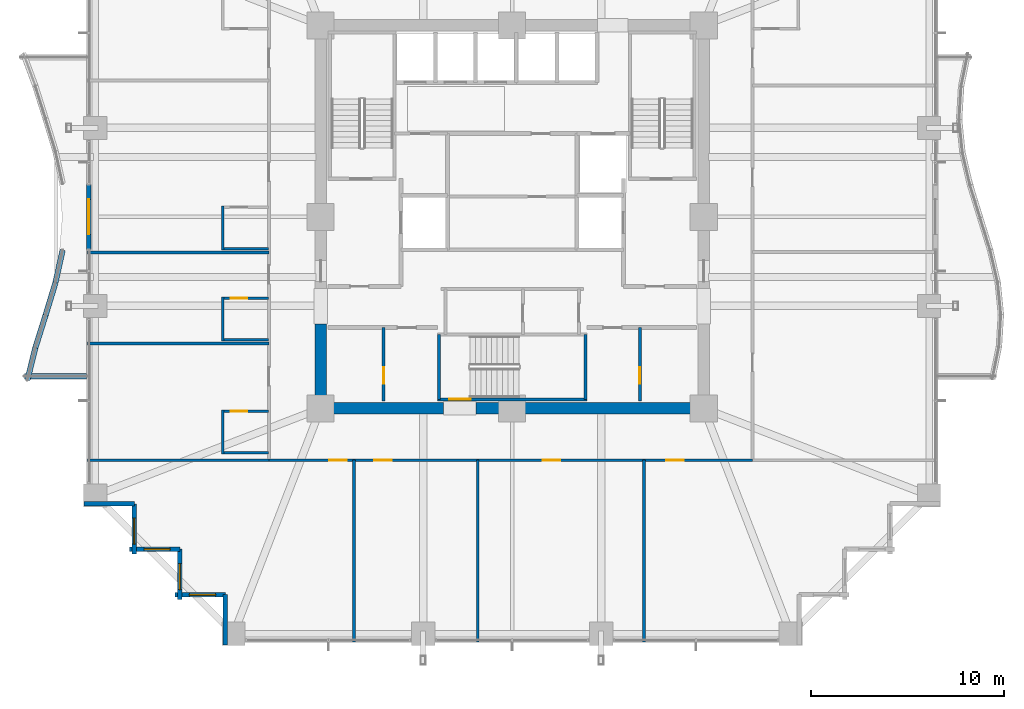
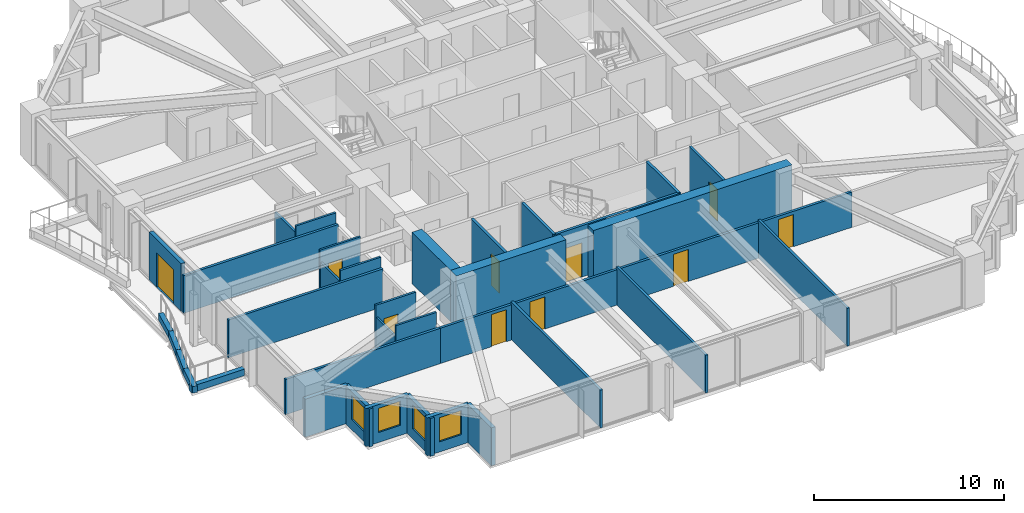
# One storey, part 30 of 36: 35 walls, 10 doors, 4 windows, 14 openings.
"""IFC4 building model written with IfcOpenShell, lengths in metres."""

from ifc_helpers import new_model, si_unit, direction, frame, frame_2d, origin, place, context, subcontext, project, spatial, rectangle, extrude, material, layer, layer_set, type_object, element, fill, save


model = new_model("IFC4")

# Units and contexts
model_context = context("Model", 3, precision=1e-05, world=origin(), true_north=direction((0.0, 1.0)))
body_context = subcontext(model_context, "Body", "Model", "MODEL_VIEW")
ifc_project = project(units=[si_unit("LENGTHUNIT", "METRE"), si_unit("AREAUNIT", "SQUARE_METRE"), si_unit("VOLUMEUNIT", "CUBIC_METRE"), si_unit("PLANEANGLEUNIT", "RADIAN"), si_unit("MASSUNIT", "GRAM", prefix="KILO")], contexts=[model_context])

# Site, building, storey
site_placement = place(None, origin())
site = spatial("IfcSite", under=ifc_project, at=site_placement, CompositionType="ELEMENT")
building_placement = place(site_placement, origin())
building = spatial("IfcBuilding", under=site, at=building_placement, Name="Kolvaren Belvedere", CompositionType="ELEMENT")
storey_placement = place(building_placement, frame((0.0, 0.0, 46.89990234375)))
storey = spatial("IfcBuildingStorey", under=building, at=storey_placement, Name="L13", CompositionType="ELEMENT", Elevation=46.89990234375)

# Walls
ifc_material_1 = material(Name="Concrete C60/75", Category="concrete")
ifc_layer_1 = layer(ifc_material_1, 0.60009765625)
ifc_layer_set_1 = layer_set([ifc_layer_1], Name="Concrete C60/75")
wall_type_1 = type_object("IfcWallType", Name="CW-CORE-600", PredefinedType="SHEAR", material=ifc_layer_set_1)
wall_1_placement = place(storey_placement, frame((10.199951171875, -9.89990234375, 0.0), z_axis=(0.0, 0.0, 1.0), x_axis=(-1.0, 0.0, 0.0)))
element("IfcWall", 1, at=wall_1_placement, inside=storey, type_object=wall_type_1, Name="L13 South Core Shear Wall 1", PredefinedType="SHEAR", context=body_context, shape_type="SweptSolid", body=[
    extrude(rectangle(XDim=12.06005859375, YDim=0.60009765625, at=frame_2d((6.030029296875, 0.0))), origin(), (0.0, 0.0, 1.0), 3.300048828125),
])
wall_2_placement = place(storey_placement, frame((-3.5400390625, -9.89990234375, 0.0), z_axis=(0.0, 0.0, 1.0), x_axis=(-1.0, 0.0, 0.0)))
element("IfcWall", 2, at=wall_2_placement, inside=storey, type_object=wall_type_1, Name="L13 South Core Shear Wall 2", PredefinedType="SHEAR", context=body_context, shape_type="SweptSolid", body=[
    extrude(rectangle(XDim=6.659912109375, YDim=0.60009765625, at=frame_2d((3.330078125, 0.0))), origin(), (0.0, 0.0, 1.0), 3.300048828125),
])
wall_3_placement = place(storey_placement, frame((-9.89990234375, -9.60009765625, 0.0), z_axis=(0.0, 0.0, 1.0), x_axis=(0.0, 1.0, 0.0)))
element("IfcWall", 3, at=wall_3_placement, inside=storey, type_object=wall_type_1, Name="L13 West Core Shear Wall 1", PredefinedType="SHEAR", context=body_context, shape_type="SweptSolid", body=[
    extrude(rectangle(XDim=4.050048828125, YDim=0.60009765625, at=frame_2d((2.02490234375, 0.0))), origin(), (0.0, 0.0, 1.0), 3.300048828125),
])

# Wall, opening, door
ifc_material_2 = material(Name="Concrete C50/60", Category="concrete")
ifc_layer_2 = layer(ifc_material_2, 0.159912109375)
ifc_layer_set_2 = layer_set([ifc_layer_2], Name="Concrete C50/60")
wall_type_2 = type_object("IfcWallType", Name="CW-STAIR-160", PredefinedType="SHEAR", material=ifc_layer_set_2)
wall_4_placement = place(storey_placement, frame((3.860107421875, -9.429931640625, 0.0), z_axis=(0.0, 0.0, 1.0), x_axis=(-1.0, 0.0, 0.0)))
wall_4 = element("IfcWall", 4, at=wall_4_placement, inside=storey, type_object=wall_type_2, Name="L13 Stair ST-3 South Shear Wall", PredefinedType="SHEAR", context=body_context, shape_type="SweptSolid", body=[
    extrude(rectangle(XDim=7.72021484375, YDim=0.159912109375, at=frame_2d((3.860107421875, 0.0))), origin(), (0.0, 0.0, 1.0), 3.300048828125),
])
opening_1_placement = place(wall_4_placement, frame((6.010009765625, 0.0, 0.0)))
opening_1 = element("IfcOpeningElement", 5, at=opening_1_placement, cuts=wall_4, Name="Opening D-FD90", PredefinedType="OPENING", context=body_context, shape_type="SweptSolid", body=[
    extrude(rectangle(XDim=1.10009765625, YDim=2.199951171875, at=frame_2d((0.550048828125, 1.10009765625))), frame((0.0, 0.08984375, 0.0), z_axis=(0.0, -1.0, 0.0), x_axis=(1.0, 0.0, 0.0)), (0.0, 0.0, 1.0), 0.179931640625),
])
ifc_material_3 = material(Name="Painted hollow stainless steel", Category="steel")
door_type_1 = type_object("IfcDoorType", Name="DR-FD90-1100", OperationType="NOTDEFINED", PredefinedType="DOOR", material=ifc_material_3)
door_1_placement = place(opening_1_placement, origin())
door_1 = element("IfcDoor", 6, at=door_1_placement, inside=storey, type_object=door_type_1, Name="L13 Stair ST-3 Exit Door", OperationType="SINGLE_SWING_RIGHT", OverallHeight=2.199951171875, OverallWidth=1.10009765625, PredefinedType="DOOR", context=body_context, shape_type="SweptSolid", body=[
    extrude(rectangle(XDim=1.10009765625, YDim=2.199951171875, at=frame_2d((0.550048828125, 1.10009765625))), frame((0.0, 0.02490234375, 0.0), z_axis=(0.0, -1.0, 0.0), x_axis=(1.0, 0.0, 0.0)), (0.0, 0.0, 1.0), 0.050048828125),
])
fill(opening_1, door_1)

# Walls
for number, where, z_axis, x_axis, name in (
    (7, (-3.780029296875, -9.429931640625, 0.0), (0.0, 0.0, 1.0), (0.0, 1.0, 0.0), "L13 Stair ST-3 West Shear Wall"),
    (8, (3.780029296875, -9.429931640625, 0.0), (0.0, 0.0, 1.0), (0.0, 1.0, 0.0), "L13 Stair ST-3 East Shear Wall"),
):
    element("IfcWall", number, at=place(storey_placement, frame(where, z_axis=z_axis, x_axis=x_axis)), inside=storey, type_object=wall_type_2, Name=name, PredefinedType="SHEAR", context=body_context, shape_type="SweptSolid", body=[
        extrude(rectangle(XDim=3.349853515625, YDim=0.159912109375, at=frame_2d((1.6748046875, 0.0))), origin(), (0.0, 0.0, 1.0), 3.300048828125),
    ])

# Wall, openings, doors
ifc_material_4 = material(Name="Gypsum fire-rated partition assembly", Category="gypsum")
ifc_layer_3 = layer(ifc_material_4, 0.14990234375)
ifc_layer_set_3 = layer_set([ifc_layer_3], Name="Gypsum fire-rated partition assembly")
wall_type_3 = type_object("IfcWallType", Name="WL-CORR-150", PredefinedType="PARTITIONING", material=ifc_layer_set_3)
wall_5_placement = place(storey_placement, frame((-12.580078125, -12.580078125, 0.0), z_axis=(0.0, 0.0, 1.0), x_axis=(1.0, 0.0, 0.0)))
wall_5 = element("IfcWall", 9, at=wall_5_placement, inside=storey, type_object=wall_type_3, Name="L13 South Corridor Wall", PredefinedType="PARTITIONING", context=body_context, shape_type="SweptSolid", body=[
    extrude(rectangle(XDim=25.0, YDim=0.14990234375, at=frame_2d((12.5, 0.0))), origin(), (0.0, 0.0, 1.0), 2.272216796875),
])
opening_2_placement = place(wall_5_placement, frame((3.118408203125, 0.0, 0.0)))
opening_2 = element("IfcOpeningElement", 10, at=opening_2_placement, cuts=wall_5, Name="Opening D-INT90", PredefinedType="OPENING", context=body_context, shape_type="SweptSolid", body=[
    extrude(rectangle(XDim=0.89990234375, YDim=2.06005859375, at=frame_2d((0.449951171875, 1.030029296875))), frame((0.0, 0.0849609375, 0.0), z_axis=(0.0, -1.0, 0.0), x_axis=(1.0, 0.0, 0.0)), (0.0, 0.0, 1.0), 0.169921875),
])
opening_3_placement = place(wall_5_placement, frame((5.45361328125, 0.0, 0.0)))
opening_3 = element("IfcOpeningElement", 11, at=opening_3_placement, cuts=wall_5, Name="Opening D-INT90", PredefinedType="OPENING", context=body_context, shape_type="SweptSolid", body=[
    extrude(rectangle(XDim=0.89990234375, YDim=2.06005859375, at=frame_2d((0.449951171875, 1.030029296875))), frame((0.0, 0.0849609375, 0.0), z_axis=(0.0, -1.0, 0.0), x_axis=(1.0, 0.0, 0.0)), (0.0, 0.0, 1.0), 0.169921875),
])
opening_4_placement = place(wall_5_placement, frame((14.159912109375, 0.0, 0.0)))
opening_4 = element("IfcOpeningElement", 12, at=opening_4_placement, cuts=wall_5, Name="Opening D-INT90", PredefinedType="OPENING", context=body_context, shape_type="SweptSolid", body=[
    extrude(rectangle(XDim=0.89990234375, YDim=2.06005859375, at=frame_2d((0.449951171875, 1.030029296875))), frame((0.0, 0.0849609375, 0.0), z_axis=(0.0, -1.0, 0.0), x_axis=(1.0, 0.0, 0.0)), (0.0, 0.0, 1.0), 0.169921875),
])
opening_5_placement = place(wall_5_placement, frame((20.54052734375, 0.0, 0.0)))
opening_5 = element("IfcOpeningElement", 13, at=opening_5_placement, cuts=wall_5, Name="Opening D-INT90", PredefinedType="OPENING", context=body_context, shape_type="SweptSolid", body=[
    extrude(rectangle(XDim=0.89990234375, YDim=2.06005859375, at=frame_2d((0.449951171875, 1.030029296875))), frame((0.0, 0.0849609375, 0.0), z_axis=(0.0, -1.0, 0.0), x_axis=(1.0, 0.0, 0.0)), (0.0, 0.0, 1.0), 0.169921875),
])
ifc_material_5 = material(Name="Stained Pacific white oak", Category="timber")
door_type_2 = type_object("IfcDoorType", Name="DR-INT-900", OperationType="NOTDEFINED", PredefinedType="DOOR", material=ifc_material_5)
door_2_placement = place(opening_2_placement, origin())
door_2 = element("IfcDoor", 14, at=door_2_placement, inside=storey, type_object=door_type_2, Name="L13 Lounge 1301 Door", OperationType="SINGLE_SWING_LEFT", OverallHeight=2.06005859375, OverallWidth=0.89990234375, PredefinedType="DOOR", context=body_context, shape_type="SweptSolid", body=[
    extrude(rectangle(XDim=0.89990234375, YDim=2.06005859375, at=frame_2d((0.449951171875, 1.030029296875))), frame((0.0, 0.02490234375, 0.0), z_axis=(0.0, -1.0, 0.0), x_axis=(1.0, 0.0, 0.0)), (0.0, 0.0, 1.0), 0.050048828125),
])
fill(opening_2, door_2)
door_3_placement = place(opening_3_placement, origin())
door_3 = element("IfcDoor", 15, at=door_3_placement, inside=storey, type_object=door_type_2, Name="L13 Guest Tea & Espresso Kitchen 1302 Door", OperationType="SINGLE_SWING_RIGHT", OverallHeight=2.06005859375, OverallWidth=0.89990234375, PredefinedType="DOOR", context=body_context, shape_type="SweptSolid", body=[
    extrude(rectangle(XDim=0.89990234375, YDim=2.06005859375, at=frame_2d((0.449951171875, 1.030029296875))), frame((0.0, 0.02490234375, 0.0), z_axis=(0.0, -1.0, 0.0), x_axis=(1.0, 0.0, 0.0)), (0.0, 0.0, 1.0), 0.050048828125),
])
fill(opening_3, door_3)
door_4_placement = place(opening_4_placement, origin())
door_4 = element("IfcDoor", 16, at=door_4_placement, inside=storey, type_object=door_type_2, Name="L13 Private Hospitality Meeting Room 1303 Door", OperationType="SINGLE_SWING_LEFT", OverallHeight=2.06005859375, OverallWidth=0.89990234375, PredefinedType="DOOR", context=body_context, shape_type="SweptSolid", body=[
    extrude(rectangle(XDim=0.89990234375, YDim=2.06005859375, at=frame_2d((0.449951171875, 1.030029296875))), frame((0.0, 0.02490234375, 0.0), z_axis=(0.0, -1.0, 0.0), x_axis=(1.0, 0.0, 0.0)), (0.0, 0.0, 1.0), 0.050048828125),
])
fill(opening_4, door_4)
door_5_placement = place(opening_5_placement, origin())
door_5 = element("IfcDoor", 17, at=door_5_placement, inside=storey, type_object=door_type_2, Name="L13 Lounge 1304 Door", OperationType="SINGLE_SWING_RIGHT", OverallHeight=2.06005859375, OverallWidth=0.89990234375, PredefinedType="DOOR", context=body_context, shape_type="SweptSolid", body=[
    extrude(rectangle(XDim=0.89990234375, YDim=2.06005859375, at=frame_2d((0.449951171875, 1.030029296875))), frame((0.0, 0.02490234375, 0.0), z_axis=(0.0, -1.0, 0.0), x_axis=(1.0, 0.0, 0.0)), (0.0, 0.0, 1.0), 0.050048828125),
])
fill(opening_5, door_5)

# Wall, opening, door
ifc_material_6 = material(Name="Insulated pale-metal facade wall assembly", Category="aluminium")
ifc_layer_4 = layer(ifc_material_6, 0.239990234375)
ifc_layer_set_4 = layer_set([ifc_layer_4], Name="Insulated pale-metal facade wall assembly")
wall_type_4 = type_object("IfcWallType", Name="WL-EXT-240", PredefinedType="STANDARD", material=ifc_layer_set_4)
wall_6_placement = place(storey_placement, frame((-21.8798828125, -1.679931640625, 0.0), z_axis=(0.0, 0.0, 1.0), x_axis=(0.0, 1.0, 0.0)))
wall_6 = element("IfcWall", 18, at=wall_6_placement, inside=storey, type_object=wall_type_4, Name="L13 West Terrace Portal Wall", PredefinedType="STANDARD", context=body_context, shape_type="SweptSolid", body=[
    extrude(rectangle(XDim=3.35986328125, YDim=0.239990234375, at=frame_2d((1.679931640625, 0.0))), origin(), (0.0, 0.0, 1.0), 3.06005859375),
])
opening_6_placement = place(wall_6_placement, frame((0.780029296875, 0.0, 0.0)))
opening_6 = element("IfcOpeningElement", 19, at=opening_6_placement, cuts=wall_6, Name="Opening DB-1800", PredefinedType="OPENING", context=body_context, shape_type="SweptSolid", body=[
    extrude(rectangle(XDim=1.800048828125, YDim=2.199951171875, at=frame_2d((0.89990234375, 1.10009765625))), frame((0.0, 0.1298828125, 0.0), z_axis=(0.0, -1.0, 0.0), x_axis=(1.0, 0.0, 0.0)), (0.0, 0.0, 1.0), 0.260009765625),
])
ifc_material_7 = material(Name="Thermally broken pale-metal aluminium & low-iron glass", Category="aluminium")
door_type_3 = type_object("IfcDoorType", Name="DR-BAL-1800", OperationType="DOUBLE_DOOR_SLIDING", PredefinedType="DOOR", material=ifc_material_7)
door_6_placement = place(opening_6_placement, origin())
door_6 = element("IfcDoor", 20, at=door_6_placement, inside=storey, type_object=door_type_3, Name="L13 West Planted Terrace Sliding Door", OperationType="DOUBLE_DOOR_SLIDING", OverallHeight=2.199951171875, OverallWidth=1.800048828125, PredefinedType="DOOR", context=body_context, shape_type="SweptSolid", body=[
    extrude(rectangle(XDim=1.800048828125, YDim=2.199951171875, at=frame_2d((0.89990234375, 1.10009765625))), frame((0.0, 0.02490234375, 0.0), z_axis=(0.0, -1.0, 0.0), x_axis=(1.0, 0.0, 0.0)), (0.0, 0.0, 1.0), 0.050048828125),
])
fill(opening_6, door_6)

# Wall
wall_7_placement = place(storey_placement, frame((-19.530029296875, -14.830078125, 0.0), z_axis=(0.0, 0.0, 1.0), x_axis=(-1.0, 0.0, 0.0)))
element("IfcWall", 21, at=wall_7_placement, inside=storey, type_object=wall_type_4, Name="L13 Serrated Corner Facade Wall 23", PredefinedType="STANDARD", context=body_context, shape_type="SweptSolid", body=[
    extrude(rectangle(XDim=2.590087890625, YDim=0.239990234375, at=frame_2d((1.294921875, 0.0))), origin(), (0.0, 0.0, 1.0), 2.439208984375),
])

# Wall, opening, window
wall_8_placement = place(storey_placement, frame((-19.530029296875, -17.419921875, 0.0), z_axis=(0.0, 0.0, 1.0), x_axis=(0.0, 1.0, 0.0)))
wall_8 = element("IfcWall", 22, at=wall_8_placement, inside=storey, type_object=wall_type_4, Name="L13 Serrated Corner Facade Wall 24", PredefinedType="STANDARD", context=body_context, shape_type="SweptSolid", body=[
    extrude(rectangle(XDim=2.58984375, YDim=0.239990234375, at=frame_2d((1.294921875, 0.0))), origin(), (0.0, 0.0, 1.0), 2.439208984375),
])
opening_7_placement = place(wall_8_placement, frame((0.5, 0.0, 0.64990234375)))
opening_7 = element("IfcOpeningElement", 23, at=opening_7_placement, cuts=wall_8, Name="Opening W-1350", PredefinedType="OPENING", context=body_context, shape_type="SweptSolid", body=[
    extrude(rectangle(XDim=1.35009765625, YDim=1.550048828125, at=frame_2d((0.675048828125, 0.77490234375))), frame((0.0, 0.1298828125, 0.0), z_axis=(0.0, -1.0, 0.0), x_axis=(1.0, 0.0, 0.0)), (0.0, 0.0, 1.0), 0.260009765625),
])
ifc_material_8 = material(Name="Low-iron triple insulated glass", Category="glass")
window_type = type_object("IfcWindowType", Name="WN-CORN-1350", PartitioningType="SINGLE_PANEL", PredefinedType="WINDOW", material=ifc_material_8)
window_1_placement = place(opening_7_placement, origin())
window_1 = element("IfcWindow", 24, at=window_1_placement, inside=storey, type_object=window_type, Name="L13 Serrated Corner Vision Window 24", OverallHeight=1.550048828125, OverallWidth=1.35009765625, PartitioningType="SINGLE_PANEL", PredefinedType="WINDOW", context=body_context, shape_type="SweptSolid", body=[
    extrude(rectangle(XDim=1.35009765625, YDim=1.550048828125, at=frame_2d((0.675048828125, 0.77490234375))), frame((0.0, 0.030029296875, 0.0), z_axis=(0.0, -1.0, 0.0), x_axis=(1.0, 0.0, 0.0)), (0.0, 0.0, 1.0), 0.06005859375),
])
fill(opening_7, window_1)

wall_9_placement = place(storey_placement, frame((-17.179931640625, -17.179931640625, 0.0), z_axis=(0.0, 0.0, 1.0), x_axis=(-1.0, 0.0, 0.0)))
wall_9 = element("IfcWall", 25, at=wall_9_placement, inside=storey, type_object=wall_type_4, Name="L13 Serrated Corner Facade Wall 25", PredefinedType="STANDARD", context=body_context, shape_type="SweptSolid", body=[
    extrude(rectangle(XDim=2.590087890625, YDim=0.239990234375, at=frame_2d((1.294921875, 0.0))), origin(), (0.0, 0.0, 1.0), 2.439208984375),
])
opening_8_placement = place(wall_9_placement, frame((0.5, 0.0, 0.64990234375)))
opening_8 = element("IfcOpeningElement", 26, at=opening_8_placement, cuts=wall_9, Name="Opening W-1350", PredefinedType="OPENING", context=body_context, shape_type="SweptSolid", body=[
    extrude(rectangle(XDim=1.35009765625, YDim=1.550048828125, at=frame_2d((0.675048828125, 0.77490234375))), frame((0.0, 0.1298828125, 0.0), z_axis=(0.0, -1.0, 0.0), x_axis=(1.0, 0.0, 0.0)), (0.0, 0.0, 1.0), 0.260009765625),
])
window_2_placement = place(opening_8_placement, origin())
window_2 = element("IfcWindow", 27, at=window_2_placement, inside=storey, type_object=window_type, Name="L13 Serrated Corner Vision Window 25", OverallHeight=1.550048828125, OverallWidth=1.35009765625, PartitioningType="SINGLE_PANEL", PredefinedType="WINDOW", context=body_context, shape_type="SweptSolid", body=[
    extrude(rectangle(XDim=1.35009765625, YDim=1.550048828125, at=frame_2d((0.675048828125, 0.77490234375))), frame((0.0, 0.030029296875, 0.0), z_axis=(0.0, -1.0, 0.0), x_axis=(1.0, 0.0, 0.0)), (0.0, 0.0, 1.0), 0.06005859375),
])
fill(opening_8, window_2)

wall_10_placement = place(storey_placement, frame((-17.179931640625, -19.77001953125, 0.0), z_axis=(0.0, 0.0, 1.0), x_axis=(0.0, 1.0, 0.0)))
wall_10 = element("IfcWall", 28, at=wall_10_placement, inside=storey, type_object=wall_type_4, Name="L13 Serrated Corner Facade Wall 26", PredefinedType="STANDARD", context=body_context, shape_type="SweptSolid", body=[
    extrude(rectangle(XDim=2.590087890625, YDim=0.239990234375, at=frame_2d((1.294921875, 0.0))), origin(), (0.0, 0.0, 1.0), 2.439208984375),
])
opening_9_placement = place(wall_10_placement, frame((0.5, 0.0, 0.64990234375)))
opening_9 = element("IfcOpeningElement", 29, at=opening_9_placement, cuts=wall_10, Name="Opening W-1350", PredefinedType="OPENING", context=body_context, shape_type="SweptSolid", body=[
    extrude(rectangle(XDim=1.35009765625, YDim=1.550048828125, at=frame_2d((0.675048828125, 0.77490234375))), frame((0.0, 0.1298828125, 0.0), z_axis=(0.0, -1.0, 0.0), x_axis=(1.0, 0.0, 0.0)), (0.0, 0.0, 1.0), 0.260009765625),
])
window_3_placement = place(opening_9_placement, origin())
window_3 = element("IfcWindow", 30, at=window_3_placement, inside=storey, type_object=window_type, Name="L13 Serrated Corner Vision Window 26", OverallHeight=1.550048828125, OverallWidth=1.35009765625, PartitioningType="SINGLE_PANEL", PredefinedType="WINDOW", context=body_context, shape_type="SweptSolid", body=[
    extrude(rectangle(XDim=1.35009765625, YDim=1.550048828125, at=frame_2d((0.675048828125, 0.77490234375))), frame((0.0, 0.030029296875, 0.0), z_axis=(0.0, -1.0, 0.0), x_axis=(1.0, 0.0, 0.0)), (0.0, 0.0, 1.0), 0.06005859375),
])
fill(opening_9, window_3)

wall_11_placement = place(storey_placement, frame((-14.830078125, -19.530029296875, 0.0), z_axis=(0.0, 0.0, 1.0), x_axis=(-1.0, 0.0, 0.0)))
wall_11 = element("IfcWall", 31, at=wall_11_placement, inside=storey, type_object=wall_type_4, Name="L13 Serrated Corner Facade Wall 27", PredefinedType="STANDARD", context=body_context, shape_type="SweptSolid", body=[
    extrude(rectangle(XDim=2.58984375, YDim=0.239990234375, at=frame_2d((1.294921875, 0.0))), origin(), (0.0, 0.0, 1.0), 2.439208984375),
])
opening_10_placement = place(wall_11_placement, frame((0.5, 0.0, 0.64990234375)))
opening_10 = element("IfcOpeningElement", 32, at=opening_10_placement, cuts=wall_11, Name="Opening W-1350", PredefinedType="OPENING", context=body_context, shape_type="SweptSolid", body=[
    extrude(rectangle(XDim=1.35009765625, YDim=1.550048828125, at=frame_2d((0.675048828125, 0.77490234375))), frame((0.0, 0.1298828125, 0.0), z_axis=(0.0, -1.0, 0.0), x_axis=(1.0, 0.0, 0.0)), (0.0, 0.0, 1.0), 0.260009765625),
])
window_4_placement = place(opening_10_placement, origin())
window_4 = element("IfcWindow", 33, at=window_4_placement, inside=storey, type_object=window_type, Name="L13 Serrated Corner Vision Window 27", OverallHeight=1.550048828125, OverallWidth=1.35009765625, PartitioningType="SINGLE_PANEL", PredefinedType="WINDOW", context=body_context, shape_type="SweptSolid", body=[
    extrude(rectangle(XDim=1.35009765625, YDim=1.550048828125, at=frame_2d((0.675048828125, 0.77490234375))), frame((0.0, 0.030029296875, 0.0), z_axis=(0.0, -1.0, 0.0), x_axis=(1.0, 0.0, 0.0)), (0.0, 0.0, 1.0), 0.06005859375),
])
fill(opening_10, window_4)

# Wall
wall_12_placement = place(storey_placement, frame((-14.830078125, -22.1201171875, 0.0), z_axis=(0.0, 0.0, 1.0), x_axis=(0.0, 1.0, 0.0)))
element("IfcWall", 34, at=wall_12_placement, inside=storey, type_object=wall_type_4, Name="L13 Serrated Corner Facade Wall 28", PredefinedType="STANDARD", context=body_context, shape_type="SweptSolid", body=[
    extrude(rectangle(XDim=2.590087890625, YDim=0.239990234375, at=frame_2d((1.294921875, 0.0))), origin(), (0.0, 0.0, 1.0), 2.439208984375),
])

# Wall, opening, door
ifc_material_9 = material(Name="Gypsum acoustic partition assembly", Category="gypsum")
ifc_layer_5 = layer(ifc_material_9, 0.14990234375)
ifc_layer_set_5 = layer_set([ifc_layer_5], Name="Gypsum acoustic partition assembly")
wall_type_5 = type_object("IfcWallType", Name="WL-PART-150", PredefinedType="PARTITIONING", material=ifc_layer_set_5)
wall_13_placement = place(storey_placement, frame((-6.64990234375, -9.52001953125, 0.0), z_axis=(0.0, 0.0, 1.0), x_axis=(0.0, 1.0, 0.0)))
wall_13 = element("IfcWall", 35, at=wall_13_placement, inside=storey, type_object=wall_type_5, Name="L13 SW Core Divider", PredefinedType="PARTITIONING", context=body_context, shape_type="SweptSolid", body=[
    extrude(rectangle(XDim=3.800048828125, YDim=0.14990234375, at=frame_2d((1.89990234375, 0.0))), origin(), (0.0, 0.0, 1.0), 3.06005859375),
])
opening_11_placement = place(wall_13_placement, frame((0.89990234375, 0.0, 0.0)))
opening_11 = element("IfcOpeningElement", 36, at=opening_11_placement, cuts=wall_13, Name="Opening D-INT85", PredefinedType="OPENING", context=body_context, shape_type="SweptSolid", body=[
    extrude(rectangle(XDim=0.85009765625, YDim=2.030029296875, at=frame_2d((0.425048828125, 1.01513671875))), frame((0.0, 0.0849609375, 0.0), z_axis=(0.0, -1.0, 0.0), x_axis=(1.0, 0.0, 0.0)), (0.0, 0.0, 1.0), 0.169921875),
])
ifc_material_10 = material(Name="Stained Pacific white oak", Category="timber")
door_type_4 = type_object("IfcDoorType", Name="DR-INT-850", OperationType="NOTDEFINED", PredefinedType="DOOR", material=ifc_material_10)
door_7_placement = place(opening_11_placement, origin())
door_7 = element("IfcDoor", 37, at=door_7_placement, inside=storey, type_object=door_type_4, Name="L13 SW Valet Door", OperationType="SINGLE_SWING_RIGHT", OverallHeight=2.030029296875, OverallWidth=0.85009765625, PredefinedType="DOOR", context=body_context, shape_type="SweptSolid", body=[
    extrude(rectangle(XDim=0.85009765625, YDim=2.030029296875, at=frame_2d((0.425048828125, 1.01513671875))), frame((0.0, 0.02490234375, 0.0), z_axis=(0.0, -1.0, 0.0), x_axis=(1.0, 0.0, 0.0)), (0.0, 0.0, 1.0), 0.050048828125),
])
fill(opening_11, door_7)

wall_14_placement = place(storey_placement, frame((6.60009765625, -9.52001953125, 0.0), z_axis=(0.0, 0.0, 1.0), x_axis=(0.0, 1.0, 0.0)))
wall_14 = element("IfcWall", 38, at=wall_14_placement, inside=storey, type_object=wall_type_5, Name="L13 SE Core Divider", PredefinedType="PARTITIONING", context=body_context, shape_type="SweptSolid", body=[
    extrude(rectangle(XDim=3.800048828125, YDim=0.14990234375, at=frame_2d((1.89990234375, 0.0))), origin(), (0.0, 0.0, 1.0), 3.06005859375),
])
opening_12_placement = place(wall_14_placement, frame((0.89990234375, 0.0, 0.0)))
opening_12 = element("IfcOpeningElement", 39, at=opening_12_placement, cuts=wall_14, Name="Opening D-INT85", PredefinedType="OPENING", context=body_context, shape_type="SweptSolid", body=[
    extrude(rectangle(XDim=0.85009765625, YDim=2.030029296875, at=frame_2d((0.425048828125, 1.01513671875))), frame((0.0, 0.0849609375, 0.0), z_axis=(0.0, -1.0, 0.0), x_axis=(1.0, 0.0, 0.0)), (0.0, 0.0, 1.0), 0.169921875),
])
door_8_placement = place(opening_12_placement, origin())
door_8 = element("IfcDoor", 40, at=door_8_placement, inside=storey, type_object=door_type_4, Name="L13 SE Switchboard Door", OperationType="SINGLE_SWING_LEFT", OverallHeight=2.030029296875, OverallWidth=0.85009765625, PredefinedType="DOOR", context=body_context, shape_type="SweptSolid", body=[
    extrude(rectangle(XDim=0.85009765625, YDim=2.030029296875, at=frame_2d((0.425048828125, 1.01513671875))), frame((0.0, 0.02490234375, 0.0), z_axis=(0.0, -1.0, 0.0), x_axis=(1.0, 0.0, 0.0)), (0.0, 0.0, 1.0), 0.050048828125),
])
fill(opening_12, door_8)

# Walls
wall_15_placement = place(storey_placement, frame((-21.97998046875, -12.580078125, 0.0), z_axis=(0.0, 0.0, 1.0), x_axis=(1.0, 0.0, 0.0)))
element("IfcWall", 41, at=wall_15_placement, inside=storey, type_object=wall_type_5, Name="L13 Wing Divider PW-L13-QSW", PredefinedType="PARTITIONING", context=body_context, shape_type="SweptSolid", body=[
    extrude(rectangle(XDim=9.39990234375, YDim=0.14990234375, at=frame_2d((4.699951171875, 0.0))), origin(), (0.0, 0.0, 1.0), 2.272216796875),
])
for number, where, z_axis, x_axis, name in (
    (42, (-8.179931640625, -21.97998046875, 0.0), (0.0, 0.0, 1.0), (0.0, 1.0, 0.0), "L13 South Suite Demising Wall 1"),
    (43, (-1.780029296875, -21.97998046875, 0.0), (0.0, 0.0, 1.0), (0.0, 1.0, 0.0), "L13 South Suite Demising Wall 2"),
    (44, (6.820068359375, -21.97998046875, 0.0), (0.0, 0.0, 1.0), (0.0, 1.0, 0.0), "L13 South Suite Demising Wall 3"),
    (45, (-21.97998046875, -6.548095703125, 0.0), (0.0, 0.0, 1.0), (1.0, 0.0, 0.0), "L13 West Suite Demising Wall 1"),
    (46, (-21.97998046875, -1.847900390625, 0.0), (0.0, 0.0, 1.0), (1.0, 0.0, 0.0), "L13 West Suite Demising Wall 2"),
):
    element("IfcWall", number, at=place(storey_placement, frame(where, z_axis=z_axis, x_axis=x_axis)), inside=storey, type_object=wall_type_5, Name=name, PredefinedType="PARTITIONING", context=body_context, shape_type="SweptSolid", body=[
        extrude(rectangle(XDim=9.39990234375, YDim=0.14990234375, at=frame_2d((4.699951171875, 0.0))), origin(), (0.0, 0.0, 1.0), 2.42919921875),
    ])
ifc_material_11 = material(Name="Precast concrete C40/50", Category="concrete")
ifc_layer_6 = layer(ifc_material_11, 0.300048828125)
ifc_layer_set_6 = layer_set([ifc_layer_6], Name="Precast concrete C40/50")
wall_type_6 = type_object("IfcWallType", Name="WL-PLANTER-300", PredefinedType="PARAPET", material=ifc_layer_set_6)
wall_16_placement = place(storey_placement, frame((-23.2373046875, -1.714111328125, -0.059814453125), z_axis=(0.0, 0.0, 1.0), x_axis=(-0.213773077423, -0.976883345835, 0.0)))
element("IfcWall", 47, at=wall_16_placement, inside=storey, type_object=wall_type_6, Name="L13 Precast Structural Planter Wall BAL-W-7", PredefinedType="PARAPET", context=body_context, shape_type="SweptSolid", body=[
    extrude(rectangle(XDim=1.719970703125, YDim=0.280029296875, at=frame_2d((0.85986328125, 0.0))), origin(), (0.0, 0.0, 1.0), 0.419921875),
])
wall_17_placement = place(storey_placement, frame((-23.608154296875, -3.406494140625, -0.059814453125), z_axis=(0.0, 0.0, 1.0), x_axis=(-0.290967992577, -0.956732787823, 0.0)))
element("IfcWall", 48, at=wall_17_placement, inside=storey, type_object=wall_type_6, Name="L13 Precast Structural Planter Wall BAL-W-8", PredefinedType="PARAPET", context=body_context, shape_type="SweptSolid", body=[
    extrude(rectangle(XDim=1.756103515625, YDim=0.280029296875, at=frame_2d((0.8779296875, 0.0))), origin(), (0.0, 0.0, 1.0), 0.419921875),
])
wall_18_placement = place(storey_placement, frame((-24.11962890625, -5.087890625, -0.059814453125), z_axis=(0.0, 0.0, 1.0), x_axis=(-0.299624691176, -0.954057149461, 0.0)))
element("IfcWall", 49, at=wall_18_placement, inside=storey, type_object=wall_type_6, Name="L13 Precast Structural Planter Wall BAL-W-9", PredefinedType="PARAPET", context=body_context, shape_type="SweptSolid", body=[
    extrude(rectangle(XDim=1.7607421875, YDim=0.280029296875, at=frame_2d((0.88037109375, 0.0))), origin(), (0.0, 0.0, 1.0), 0.419921875),
])
wall_19_placement = place(storey_placement, frame((-24.644287109375, -6.75830078125, -0.059814453125), z_axis=(0.0, 0.0, 1.0), x_axis=(-0.23931377861, -0.970942282202, 0.0)))
element("IfcWall", 50, at=wall_19_placement, inside=storey, type_object=wall_type_6, Name="L13 Precast Structural Planter Wall BAL-W-10", PredefinedType="PARAPET", context=body_context, shape_type="SweptSolid", body=[
    extrude(rectangle(XDim=1.730224609375, YDim=0.280029296875, at=frame_2d((0.865234375, 0.0))), origin(), (0.0, 0.0, 1.0), 0.419921875),
])
wall_20_placement = place(storey_placement, frame((-25.213623046875, -8.239990234375, -0.059814453125), z_axis=(0.0, 0.0, 1.0), x_axis=(1.0, 0.0, 0.0)))
element("IfcWall", 51, at=wall_20_placement, inside=storey, type_object=wall_type_6, Name="L13 Precast Structural Planter Wall BAL-W-11", PredefinedType="PARAPET", context=body_context, shape_type="SweptSolid", body=[
    extrude(rectangle(XDim=3.213623046875, YDim=0.280029296875, at=frame_2d((1.60693359375, 0.0))), origin(), (0.0, 0.0, 1.0), 0.419921875),
])

# Wall, opening, door
ifc_material_12 = material(Name="Moisture-resistant gypsum partition", Category="gypsum")
ifc_layer_7 = layer(ifc_material_12, 0.125)
ifc_layer_set_7 = layer_set([ifc_layer_7], Name="Moisture-resistant gypsum partition")
wall_type_7 = type_object("IfcWallType", Name="WL-WET-125", PredefinedType="PARTITIONING", material=ifc_layer_set_7)
wall_21_placement = place(storey_placement, frame((-15.034912109375, -10.051025390625, 0.0), z_axis=(0.0, 0.0, 1.0), x_axis=(1.0, 0.0, 0.0)))
wall_21 = element("IfcWall", 52, at=wall_21_placement, inside=storey, type_object=wall_type_7, Name="L13 Bathroom Partition PW-L13-BTH-8-N", PredefinedType="PARTITIONING", context=body_context, shape_type="SweptSolid", body=[
    extrude(rectangle(XDim=2.43994140625, YDim=0.125, at=frame_2d((1.219970703125, 0.0))), origin(), (0.0, 0.0, 1.0), 3.06005859375),
])
opening_13_placement = place(wall_21_placement, frame((0.5, 0.0, 0.0)))
opening_13 = element("IfcOpeningElement", 53, at=opening_13_placement, cuts=wall_21, Name="Opening D-BTH85", PredefinedType="OPENING", context=body_context, shape_type="SweptSolid", body=[
    extrude(rectangle(XDim=0.85009765625, YDim=2.030029296875, at=frame_2d((0.425048828125, 1.01513671875))), frame((0.0, 0.072509765625, 0.0), z_axis=(0.0, -1.0, 0.0), x_axis=(1.0, 0.0, 0.0)), (0.0, 0.0, 1.0), 0.14501953125),
])
ifc_material_13 = material(Name="Moisture-sealed Pacific white oak", Category="timber")
door_type_5 = type_object("IfcDoorType", Name="DR-BATH-850", OperationType="NOTDEFINED", PredefinedType="DOOR", material=ifc_material_13)
door_9_placement = place(opening_13_placement, origin())
door_9 = element("IfcDoor", 54, at=door_9_placement, inside=storey, type_object=door_type_5, Name="L13 En-Suite Bathroom 1308 Door", OperationType="SINGLE_SWING_LEFT", OverallHeight=2.030029296875, OverallWidth=0.85009765625, PredefinedType="DOOR", context=body_context, shape_type="SweptSolid", body=[
    extrude(rectangle(XDim=0.85009765625, YDim=2.030029296875, at=frame_2d((0.425048828125, 1.01513671875))), frame((0.0, 0.02490234375, 0.0), z_axis=(0.0, -1.0, 0.0), x_axis=(1.0, 0.0, 0.0)), (0.0, 0.0, 1.0), 0.050048828125),
])
fill(opening_13, door_9)

# Walls
wall_22_placement = place(storey_placement, frame((-14.955078125, -12.260986328125, 0.0), z_axis=(0.0, 0.0, 1.0), x_axis=(0.0, 1.0, 0.0)))
element("IfcWall", 55, at=wall_22_placement, inside=storey, type_object=wall_type_7, Name="L13 Bathroom Partition PW-L13-BTH-8-V", PredefinedType="PARTITIONING", context=body_context, shape_type="SweptSolid", body=[
    extrude(rectangle(XDim=2.27001953125, YDim=0.125, at=frame_2d((1.135009765625, 0.0))), origin(), (0.0, 0.0, 1.0), 2.272216796875),
])
wall_23_placement = place(storey_placement, frame((-15.034912109375, -12.200927734375, 0.0), z_axis=(0.0, 0.0, 1.0), x_axis=(1.0, 0.0, 0.0)))
element("IfcWall", 56, at=wall_23_placement, inside=storey, type_object=wall_type_7, Name="L13 Bathroom Partition PW-L13-BTH-8-S", PredefinedType="PARTITIONING", context=body_context, shape_type="SweptSolid", body=[
    extrude(rectangle(XDim=2.43994140625, YDim=0.125, at=frame_2d((1.219970703125, 0.0))), origin(), (0.0, 0.0, 1.0), 3.06005859375),
])

# Wall, opening, door
wall_24_placement = place(storey_placement, frame((-15.034912109375, -4.202880859375, 0.0), z_axis=(0.0, 0.0, 1.0), x_axis=(1.0, 0.0, 0.0)))
wall_24 = element("IfcWall", 57, at=wall_24_placement, inside=storey, type_object=wall_type_7, Name="L13 Bathroom Partition PW-L13-BTH-9-N", PredefinedType="PARTITIONING", context=body_context, shape_type="SweptSolid", body=[
    extrude(rectangle(XDim=2.43994140625, YDim=0.125, at=frame_2d((1.219970703125, 0.0))), origin(), (0.0, 0.0, 1.0), 3.06005859375),
])
opening_14_placement = place(wall_24_placement, frame((0.5, 0.0, 0.0)))
opening_14 = element("IfcOpeningElement", 58, at=opening_14_placement, cuts=wall_24, Name="Opening D-BTH85", PredefinedType="OPENING", context=body_context, shape_type="SweptSolid", body=[
    extrude(rectangle(XDim=0.85009765625, YDim=2.030029296875, at=frame_2d((0.425048828125, 1.01513671875))), frame((0.0, 0.072509765625, 0.0), z_axis=(0.0, -1.0, 0.0), x_axis=(1.0, 0.0, 0.0)), (0.0, 0.0, 1.0), 0.14501953125),
])
door_10_placement = place(opening_14_placement, origin())
door_10 = element("IfcDoor", 59, at=door_10_placement, inside=storey, type_object=door_type_5, Name="L13 En-Suite Bathroom 1309 Door", OperationType="SINGLE_SWING_LEFT", OverallHeight=2.030029296875, OverallWidth=0.85009765625, PredefinedType="DOOR", context=body_context, shape_type="SweptSolid", body=[
    extrude(rectangle(XDim=0.85009765625, YDim=2.030029296875, at=frame_2d((0.425048828125, 1.01513671875))), frame((0.0, 0.02490234375, 0.0), z_axis=(0.0, -1.0, 0.0), x_axis=(1.0, 0.0, 0.0)), (0.0, 0.0, 1.0), 0.050048828125),
])
fill(opening_14, door_10)

# Walls
wall_25_placement = place(storey_placement, frame((-14.955078125, -6.4130859375, 0.0), z_axis=(0.0, 0.0, 1.0), x_axis=(0.0, 1.0, 0.0)))
element("IfcWall", 60, at=wall_25_placement, inside=storey, type_object=wall_type_7, Name="L13 Bathroom Partition PW-L13-BTH-9-V", PredefinedType="PARTITIONING", context=body_context, shape_type="SweptSolid", body=[
    extrude(rectangle(XDim=2.27001953125, YDim=0.125, at=frame_2d((1.135009765625, 0.0))), origin(), (0.0, 0.0, 1.0), 2.272216796875),
])
wall_26_placement = place(storey_placement, frame((-15.034912109375, -6.35302734375, 0.0), z_axis=(0.0, 0.0, 1.0), x_axis=(1.0, 0.0, 0.0)))
element("IfcWall", 61, at=wall_26_placement, inside=storey, type_object=wall_type_7, Name="L13 Bathroom Partition PW-L13-BTH-9-S", PredefinedType="PARTITIONING", context=body_context, shape_type="SweptSolid", body=[
    extrude(rectangle(XDim=2.43994140625, YDim=0.125, at=frame_2d((1.219970703125, 0.0))), origin(), (0.0, 0.0, 1.0), 3.06005859375),
])
wall_27_placement = place(storey_placement, frame((-14.955078125, -1.712890625, 0.0), z_axis=(0.0, 0.0, 1.0), x_axis=(0.0, 1.0, 0.0)))
element("IfcWall", 62, at=wall_27_placement, inside=storey, type_object=wall_type_7, Name="L13 Bathroom Partition PW-L13-BTH-10-V", PredefinedType="PARTITIONING", context=body_context, shape_type="SweptSolid", body=[
    extrude(rectangle(XDim=2.269775390625, YDim=0.125, at=frame_2d((1.134765625, 0.0))), origin(), (0.0, 0.0, 1.0), 2.585205078125),
])
wall_28_placement = place(storey_placement, frame((-15.034912109375, -1.653076171875, 0.0), z_axis=(0.0, 0.0, 1.0), x_axis=(1.0, 0.0, 0.0)))
element("IfcWall", 63, at=wall_28_placement, inside=storey, type_object=wall_type_7, Name="L13 Bathroom Partition PW-L13-BTH-10-S", PredefinedType="PARTITIONING", context=body_context, shape_type="SweptSolid", body=[
    extrude(rectangle(XDim=2.43994140625, YDim=0.125, at=frame_2d((1.219970703125, 0.0))), origin(), (0.0, 0.0, 1.0), 3.06005859375),
])

save(model, "model.ifc")
